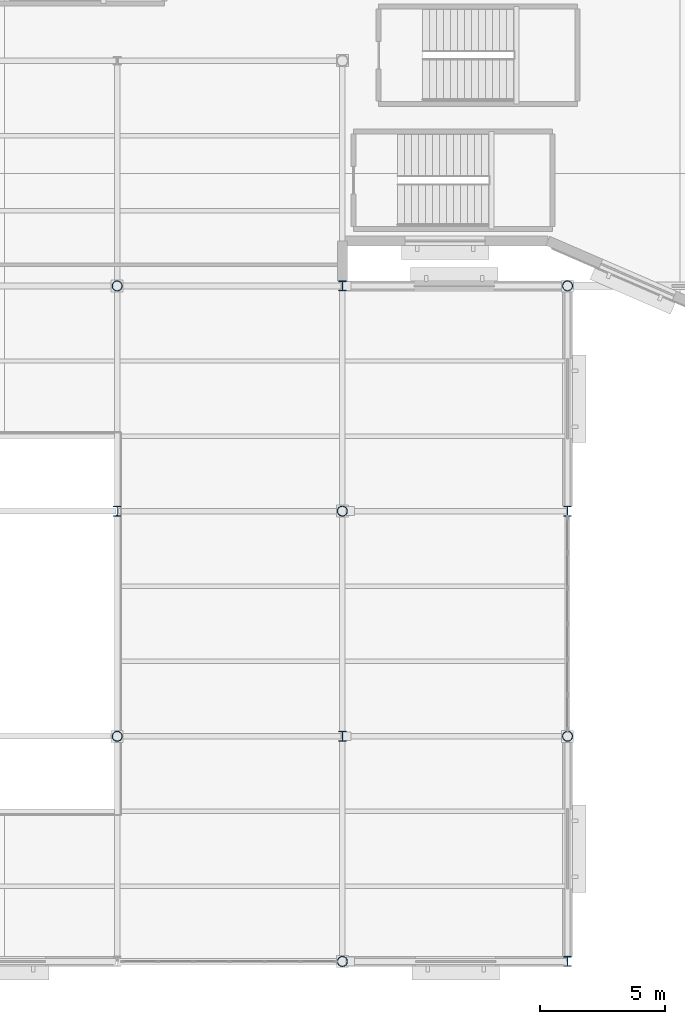
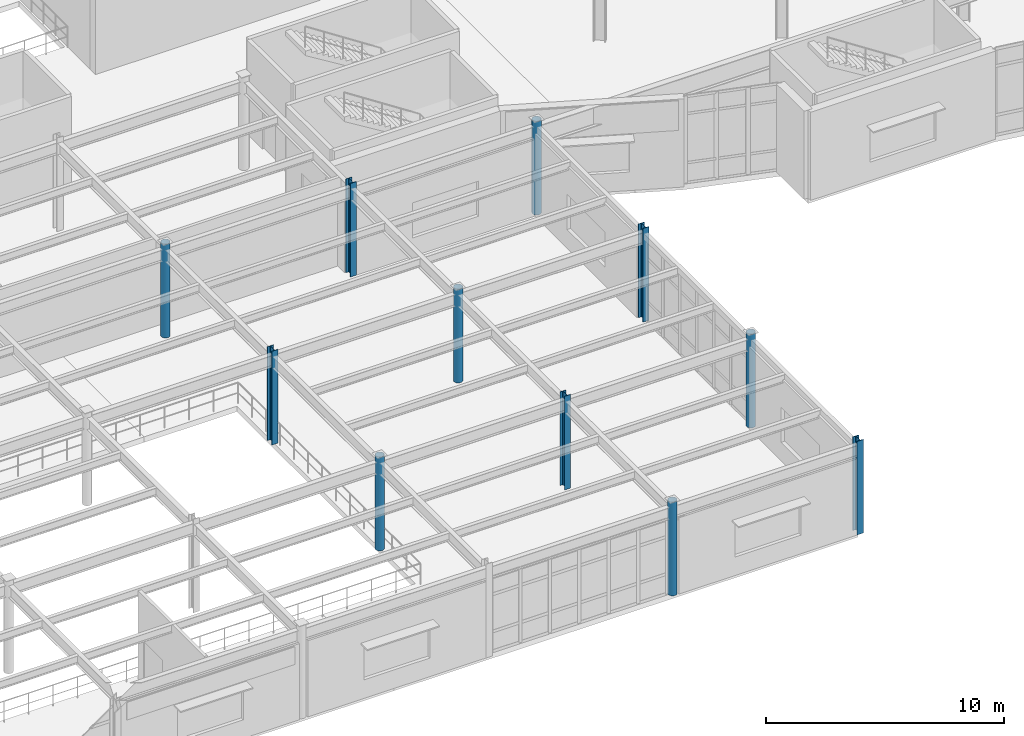
# One storey, part 2 of 86: 11 columns.
"""IFC4 building model written with IfcOpenShell, lengths in metres."""

from ifc_helpers import new_model, si_unit, direction, frame, origin, origin_2d, place, context, subcontext, project, spatial, hollow_circle, i_section, extrude, material, material_profile, profile_set, type_object, element, save


model = new_model("IFC4")

# Units and contexts
model_context = context("Model", 3, precision=1e-05, world=origin(), true_north=direction((0.0, 1.0)))
body_context = subcontext(model_context, "Body", "Model", "MODEL_VIEW")
ifc_project = project(units=[si_unit("LENGTHUNIT", "METRE"), si_unit("AREAUNIT", "SQUARE_METRE"), si_unit("VOLUMEUNIT", "CUBIC_METRE"), si_unit("PLANEANGLEUNIT", "RADIAN"), si_unit("MASSUNIT", "GRAM", prefix="KILO")], contexts=[model_context])

# Site, building, storey
site_placement = place(None, origin())
site = spatial("IfcSite", under=ifc_project, at=site_placement, CompositionType="ELEMENT")
building_placement = place(site_placement, origin())
building = spatial("IfcBuilding", under=site, at=building_placement, Name="Glasvene Arena", CompositionType="ELEMENT")
storey_placement = place(building_placement, frame((0.0, 0.0, 5.39990234375)))
storey = spatial("IfcBuildingStorey", under=building, at=storey_placement, Name="L01", CompositionType="ELEMENT", Elevation=5.39990234375)

# Columns
ifc_material = material(Name="Steel S355J2", Category="steel")
ifc_material_profile_1 = material_profile(ifc_material, hollow_circle(Radius=0.203125, WallThickness=0.01611328125, at=origin_2d()), Name="CHS 406.4x16.0")
ifc_profile_set_1 = profile_set([ifc_material_profile_1], Name="Steel S355J2")
column_type_1 = type_object("IfcColumnType", Name="COL-W-CHS406", PredefinedType="COLUMN", material=ifc_profile_set_1)
for number, where, z_axis, x_axis, name in (
    (1, (36.0, 9.0, 0.0), (0.0, 0.0, 1.0), (1.0, 0.0, 0.0), "Grid column 5-2 L01"),
    (2, (36.0, 27.0, 0.0), (0.0, 0.0, 1.0), (1.0, 0.0, 0.0), "Grid column 5-4 L01"),
    (3, (45.0, 0.0, 0.0), (0.0, 0.0, 1.0), (1.0, 0.0, 0.0), "Grid column 6-1 L01"),
    (4, (45.0, 18.0, 0.0), (0.0, 0.0, 1.0), (1.0, 0.0, 0.0), "Grid column 6-3 L01"),
    (5, (54.0, 9.0, 0.0), (0.0, 0.0, 1.0), (1.0, 0.0, 0.0), "Grid column 7-2 L01"),
    (6, (54.0, 27.0, 0.0), (0.0, 0.0, 1.0), (1.0, 0.0, 0.0), "Grid column 7-4 L01"),
):
    element("IfcColumn", number, at=place(storey_placement, frame(where, z_axis=z_axis, x_axis=x_axis)), inside=storey, type_object=column_type_1, Name=name, PredefinedType="COLUMN", context=body_context, shape_type="SweptSolid", body=[
        extrude(hollow_circle(Radius=0.203125, WallThickness=0.01611328125, at=origin_2d()), origin(), (0.0, 0.0, 1.0), 4.800048828125),
    ])
ifc_material_profile_2 = material_profile(ifc_material, i_section(OverallWidth=0.300048828125, OverallDepth=0.39990234375, WebThickness=0.013427734375, FlangeThickness=0.02392578125, FilletRadius=0.027099609375, at=origin_2d()), Name="HEB 400")
ifc_profile_set_2 = profile_set([ifc_material_profile_2], Name="Steel S355J2")
column_type_2 = type_object("IfcColumnType", Name="COL-W-HEB400", PredefinedType="COLUMN", material=ifc_profile_set_2)
for number, where, z_axis, x_axis, name in (
    (7, (36.0, 18.0, 0.0), (0.0, 0.0, 1.0), (1.0, 0.0, 0.0), "Grid column 5-3 L01"),
    (8, (45.0, 9.0, 0.0), (0.0, 0.0, 1.0), (1.0, 0.0, 0.0), "Grid column 6-2 L01"),
    (9, (45.0, 27.0, 0.0), (0.0, 0.0, 1.0), (1.0, 0.0, 0.0), "Grid column 6-4 L01"),
    (10, (54.0, 0.0, 0.0), (0.0, 0.0, 1.0), (1.0, 0.0, 0.0), "Grid column 7-1 L01"),
    (11, (54.0, 18.0, 0.0), (0.0, 0.0, 1.0), (1.0, 0.0, 0.0), "Grid column 7-3 L01"),
):
    element("IfcColumn", number, at=place(storey_placement, frame(where, z_axis=z_axis, x_axis=x_axis)), inside=storey, type_object=column_type_2, Name=name, PredefinedType="COLUMN", context=body_context, shape_type="SweptSolid", body=[
        extrude(i_section(OverallWidth=0.300048828125, OverallDepth=0.39990234375, WebThickness=0.013427734375, FlangeThickness=0.02392578125, FilletRadius=0.027099609375, at=origin_2d()), origin(), (0.0, 0.0, 1.0), 4.800048828125),
    ])

save(model, "model.ifc")
